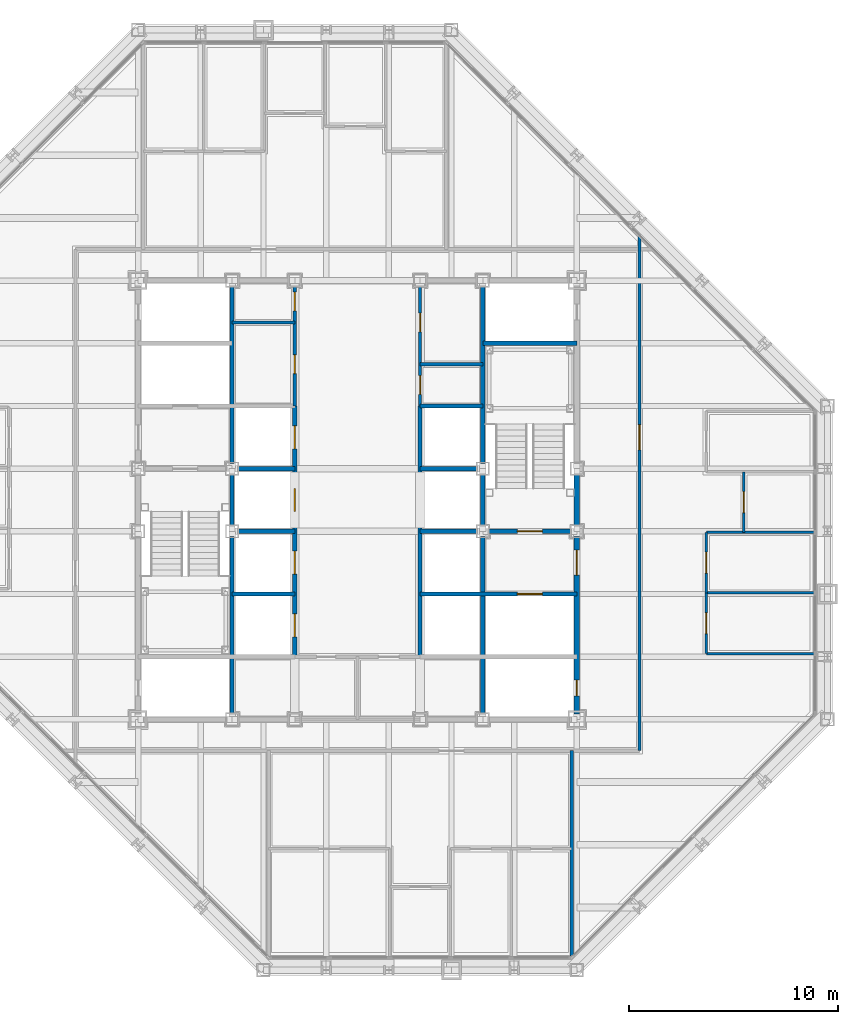
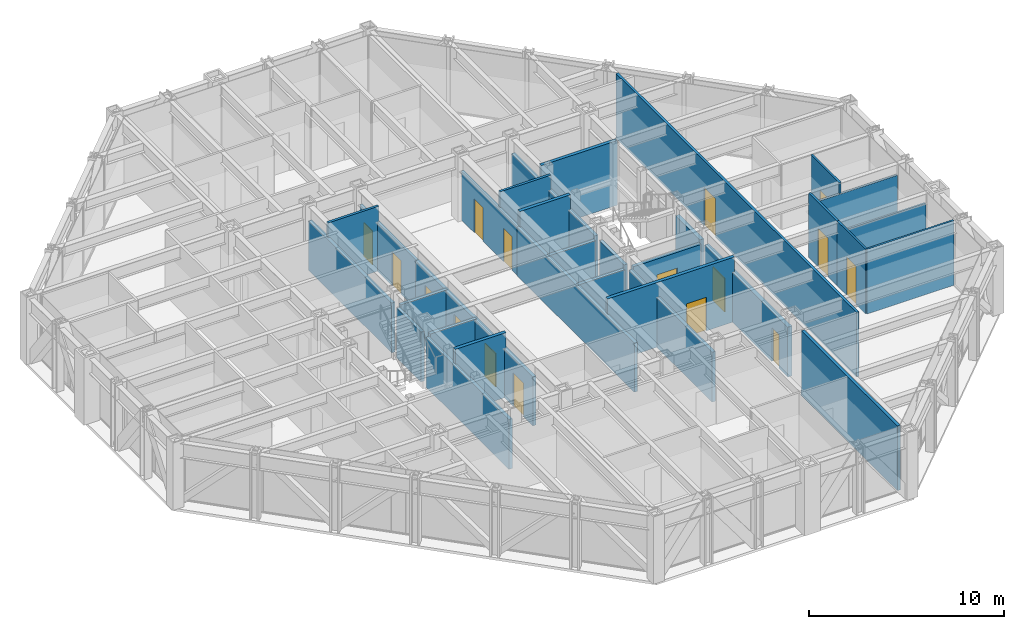
# One storey, part 12 of 16: 31 walls, 16 doors, 16 openings.
"""IFC4 building model written with IfcOpenShell, lengths in metres."""

import ifcopenshell
import ifcopenshell.guid

model = None  # the IFC model being written
_history = None  # IfcOwnerHistory: only IFC2X3 demands one
_inside = {}  # id of a spatial element -> (the spatial element, [elements in it])
_under = {}  # id of a project, library or spatial element -> (it, [spatial elements below it])
_declared = {}  # id of a project -> (the project, [libraries it declares])
_typed = {}  # id of a type object -> (the type object, [elements of that type])
_made_of = {}  # id of a material, layer set ... -> (it, [elements and type objects made of it])


def new_model(schema):
    """Start an empty IFC model of exactly this schema.

    Asked for "IFC4X3", IfcOpenShell would pick the latest addendum, in which some entities
    have other attributes; the version numbers below select the first issue.
    IFC2X3 requires an IfcOwnerHistory on every rooted entity: one is made here for all.
    """
    global model, _history
    if schema == "IFC4X3":
        model = ifcopenshell.file(schema_version=(4, 3, 0, 0))
    else:
        model = ifcopenshell.file(schema=schema)
    _inside.clear()
    _under.clear()
    _declared.clear()
    _typed.clear()
    _made_of.clear()
    _history = None
    if model.schema == "IFC2X3":
        org = make("IfcOrganization", Name="unknown")
        user = make(
            "IfcPersonAndOrganization",
            ThePerson=make("IfcPerson", FamilyName="unknown"),
            TheOrganization=org,
        )
        app = make(
            "IfcApplication",
            ApplicationDeveloper=org,
            Version="unknown",
            ApplicationFullName="unknown",
            ApplicationIdentifier="unknown",
        )
        _history = make(
            "IfcOwnerHistory",
            OwningUser=user,
            OwningApplication=app,
            ChangeAction="ADDED",
            CreationDate=0,
        )
    return model


def make(cls, **values):
    """One entity of the class cls with the attributes given. An attribute that is None is left unset."""
    return model.create_entity(
        cls, **{name: value for name, value in values.items() if value is not None}
    )


def rooted(cls, **values):
    """An entity with a GlobalId (a new one), such as an element, a storey or a relation."""
    return make(cls, GlobalId=ifcopenshell.guid.new(), OwnerHistory=_history, **values)


def si_unit(unit_type, name, prefix=None):
    """IfcSIUnit, for example si_unit("LENGTHUNIT", "METRE", prefix="MILLI")."""
    return make("IfcSIUnit", UnitType=unit_type, Prefix=prefix, Name=name)


def assignment(units):
    """IfcUnitAssignment: the units of a project."""
    return None if units is None else make("IfcUnitAssignment", Units=units)


def point(xyz):
    """IfcCartesianPoint."""
    return None if xyz is None else make("IfcCartesianPoint", Coordinates=xyz)


def direction(xyz):
    """IfcDirection."""
    return None if xyz is None else make("IfcDirection", DirectionRatios=xyz)


def frame(location, z_axis=None, x_axis=None):
    """IfcAxis2Placement3D, a coordinate frame: its origin and axes. An axis left out is left unset."""
    return make(
        "IfcAxis2Placement3D",
        Location=point(location),
        Axis=direction(z_axis),
        RefDirection=direction(x_axis),
    )


def frame_2d(location, x_axis=None):
    """IfcAxis2Placement2D, a coordinate frame in the plane: its origin and x axis."""
    return make(
        "IfcAxis2Placement2D", Location=point(location), RefDirection=direction(x_axis)
    )


def origin():
    """The frame at (0, 0, 0) with its axes left unset."""
    return frame((0.0, 0.0, 0.0))


def place(relative_to, where):
    """IfcLocalPlacement: puts the frame where relative to a parent placement (None: the world)."""
    return make(
        "IfcLocalPlacement", PlacementRelTo=relative_to, RelativePlacement=where
    )


def context(
    kind, dimensions, precision=None, world=None, true_north=None, identifier=None
):
    """IfcGeometricRepresentationContext, for example the 3D "Model" context."""
    return make(
        "IfcGeometricRepresentationContext",
        ContextIdentifier=identifier,
        ContextType=kind,
        CoordinateSpaceDimension=dimensions,
        Precision=precision,
        WorldCoordinateSystem=world,
        TrueNorth=true_north,
    )


def subcontext(parent, identifier, kind, view, scale=None):
    """IfcGeometricRepresentationSubContext, for example "Body" below "Model"."""
    return make(
        "IfcGeometricRepresentationSubContext",
        ContextIdentifier=identifier,
        ContextType=kind,
        ParentContext=parent,
        TargetScale=scale,
        TargetView=view,
    )


def project(units=None, contexts=None):
    """IfcProject with its units and contexts."""
    return rooted(
        "IfcProject",
        Name="project",
        RepresentationContexts=contexts,
        UnitsInContext=assignment(units),
    )


def spatial(cls, under=None, at=None, **own):
    """A site, building, storey or space (cls), placed at a placement, below another one or the project."""
    s = rooted(cls, ObjectPlacement=at, **own)
    if under is not None:
        _under.setdefault(under.id(), (under, []))[1].append(s)
    return s


def profile(cls, at=None, kind="AREA", **sizes):
    """A parametric profile (cls). Its sizes go by their IFC names, for example OverallWidth=200.0."""
    return make(cls, ProfileType=kind, Position=at, **sizes)


def rectangle(**sizes):
    """IfcRectangleProfileDef."""
    return profile("IfcRectangleProfileDef", **sizes)


def extrude(swept, where, along, depth):
    """IfcExtrudedAreaSolid: the profile swept, set in the frame where, extruded along a direction by depth."""
    return make(
        "IfcExtrudedAreaSolid",
        SweptArea=swept,
        Position=where,
        ExtrudedDirection=direction(along),
        Depth=depth,
    )


def shape(context_of_items, identifier, shape_type, items):
    """IfcShapeRepresentation: the items that make up one representation, for example the "Body"."""
    return make(
        "IfcShapeRepresentation",
        ContextOfItems=context_of_items,
        RepresentationIdentifier=identifier,
        RepresentationType=shape_type,
        Items=items,
    )


def material(Name=None, Category=None):
    """IfcMaterial."""
    return make("IfcMaterial", Name=Name, Category=Category)


def layer(
    of_material, thickness, ventilated=None, Name=None, Category=None, Priority=None
):
    """IfcMaterialLayer: one layer of a wall or slab, of a material (None: an air gap)."""
    return make(
        "IfcMaterialLayer",
        Material=of_material,
        LayerThickness=thickness,
        IsVentilated=ventilated,
        Name=Name,
        Category=Category,
        Priority=Priority,
    )


def layer_set(layers, Name=None):
    """IfcMaterialLayerSet."""
    return make("IfcMaterialLayerSet", MaterialLayers=layers, LayerSetName=Name)


def made_of(thing, what):
    """Note that an element or type object is made of a material, layer set ...; save() writes the relation."""
    if what is not None:
        _made_of.setdefault(what.id(), (what, []))[1].append(thing)
    return thing


def type_object(cls, material=None, **own):
    """A type object (cls), such as IfcWallType, which elements share."""
    return made_of(rooted(cls, **own), material)


def element(
    cls,
    number,
    at=None,
    inside=None,
    cuts=None,
    type_object=None,
    material=None,
    context=None,
    identifier="Body",
    shape_type=None,
    held_by="IfcProductDefinitionShape",
    body=None,
    shapes=None,
    **own,
):
    """One element of the class cls, such as IfcWall. Its Tag is "e" and its number.

    at: its placement. inside: the storey or other place that contains it. cuts: it is an
    opening in that element (IfcRelVoidsElement). A single representation is given by context,
    identifier, shape_type and body (its items); several are given by shapes. held_by: the class
    of the entity that holds the representations. save() writes the other relations.
    """
    e = rooted(cls, Tag="e%d" % number, ObjectPlacement=at, **own)
    if body is not None:
        shapes = [shape(context, identifier, shape_type, body)]
    if shapes is not None:
        e.Representation = make(held_by, Representations=shapes)
    if inside is not None:
        _inside.setdefault(inside.id(), (inside, []))[1].append(e)
    if cuts is not None:
        rooted(
            "IfcRelVoidsElement", RelatingBuildingElement=cuts, RelatedOpeningElement=e
        )
    if type_object is not None:
        _typed.setdefault(type_object.id(), (type_object, []))[1].append(e)
    return made_of(e, material)


def fill(opening, filler):
    """IfcRelFillsElement: the door or window that sits in an opening."""
    return rooted(
        "IfcRelFillsElement",
        RelatingOpeningElement=opening,
        RelatedBuildingElement=filler,
    )


def aggregate(whole, parts):
    """IfcRelAggregates: a whole, such as a stair, and the parts it consists of."""
    return rooted("IfcRelAggregates", RelatingObject=whole, RelatedObjects=parts)


def save(model, path):
    """Write the relations noted so far, then the file.

    IfcRelAggregates (storeys below a building ...), IfcRelContainedInSpatialStructure (elements
    in a storey), IfcRelDefinesByType, IfcRelAssociatesMaterial and IfcRelDeclares: one each for
    every whole, place, type object, material and project.
    """
    for whole, parts in _under.values():
        aggregate(whole, parts)
    for where, things in _inside.values():
        rooted(
            "IfcRelContainedInSpatialStructure",
            RelatedElements=things,
            RelatingStructure=where,
        )
    for kind, things in _typed.values():
        rooted("IfcRelDefinesByType", RelatedObjects=things, RelatingType=kind)
    for what, things in _made_of.values():
        rooted("IfcRelAssociatesMaterial", RelatedObjects=things, RelatingMaterial=what)
    for by, libraries in _declared.values():
        rooted("IfcRelDeclares", RelatingContext=by, RelatedDefinitions=libraries)
    model.write(path)


model = new_model("IFC4")

# Units and contexts
model_context = context("Model", 3, precision=1e-05, world=origin(), true_north=direction((0.0, 1.0)))
body_context = subcontext(model_context, "Body", "Model", "MODEL_VIEW")
ifc_project = project(units=[si_unit("LENGTHUNIT", "METRE"), si_unit("AREAUNIT", "SQUARE_METRE"), si_unit("VOLUMEUNIT", "CUBIC_METRE"), si_unit("PLANEANGLEUNIT", "RADIAN"), si_unit("MASSUNIT", "GRAM", prefix="KILO")], contexts=[model_context])

# Site, building, storey
site_placement = place(None, origin())
site = spatial("IfcSite", under=ifc_project, at=site_placement, CompositionType="ELEMENT")
building_placement = place(site_placement, origin())
building = spatial("IfcBuilding", under=site, at=building_placement, Name="Chuquiago Exchange Tower", CompositionType="ELEMENT")
storey_placement = place(building_placement, frame((0.0, 0.0, 205.5)))
storey = spatial("IfcBuildingStorey", under=building, at=storey_placement, Name="L45", CompositionType="ELEMENT", Elevation=205.5)

# Wall, openings, doors
ifc_material_1 = material(Name="Concrete masonry, fully grouted", Category="masonry")
ifc_layer_1 = layer(ifc_material_1, 0.25)
ifc_layer_set_1 = layer_set([ifc_layer_1], Name="W1 core wall 250")
wall_type_1 = type_object("IfcWallType", Name="W1 core wall 250", PredefinedType="SOLIDWALL", material=ifc_layer_set_1)
wall_1_placement = place(storey_placement, frame((33.0, 12.25, 0.0), z_axis=(0.0, 0.0, 1.0), x_axis=(0.0, 1.0, 0.0)))
wall_1 = element("IfcWall", 1, at=wall_1_placement, inside=storey, type_object=wall_type_1, Name="CW-L45-25-0", PredefinedType="SOLIDWALL", context=body_context, shape_type="SweptSolid", body=[
    extrude(rectangle(XDim=8.5, YDim=0.25, at=frame_2d((4.25, 0.0))), origin(), (0.0, 0.0, 1.0), 3.11279296875),
])
opening_1_placement = place(wall_1_placement, frame((6.64990234375, 0.0, 0.0)))
opening_1 = element("IfcOpeningElement", 2, at=opening_1_placement, cuts=wall_1, Name="Opening L45-004", PredefinedType="OPENING", context=body_context, shape_type="SweptSolid", body=[
    extrude(rectangle(XDim=1.199951171875, YDim=2.10009765625, at=frame_2d((0.60009765625, 1.050048828125))), frame((0.0, 0.135009765625, 0.0), z_axis=(0.0, -1.0, 0.0), x_axis=(1.0, 0.0, 0.0)), (0.0, 0.0, 1.0), 0.27001953125),
])
opening_2_placement = place(wall_1_placement, frame((0.875, 0.0, 0.0)))
opening_2 = element("IfcOpeningElement", 3, at=opening_2_placement, cuts=wall_1, Name="Opening L45-009", PredefinedType="OPENING", context=body_context, shape_type="SweptSolid", body=[
    extrude(rectangle(XDim=0.75, YDim=2.10009765625, at=frame_2d((0.375, 1.050048828125))), frame((0.0, 0.135009765625, 0.0), z_axis=(0.0, -1.0, 0.0), x_axis=(1.0, 0.0, 0.0)), (0.0, 0.0, 1.0), 0.27001953125),
])
ifc_material_2 = material(Name="Steel door, painted", Category="steel")
door_type_1 = type_object("IfcDoorType", Name="D5 firefighting lobby door 1200x2100", OperationType="SINGLE_SWING_LEFT", PredefinedType="DOOR", material=ifc_material_2)
door_1_placement = place(opening_1_placement, origin())
door_1 = element("IfcDoor", 4, at=door_1_placement, inside=storey, type_object=door_type_1, Name="Firefighting lobby 2 door", OperationType="SINGLE_SWING_RIGHT", OverallHeight=2.10009765625, OverallWidth=1.199951171875, PredefinedType="DOOR", context=body_context, shape_type="SweptSolid", body=[
    extrude(rectangle(XDim=1.199951171875, YDim=2.10009765625, at=frame_2d((0.60009765625, 1.050048828125))), frame((0.0, 0.02490234375, 0.0), z_axis=(0.0, -1.0, 0.0), x_axis=(1.0, 0.0, 0.0)), (0.0, 0.0, 1.0), 0.050048828125),
])
fill(opening_1, door_1)
ifc_material_3 = material(Name="Steel door, painted", Category="steel")
door_type_2 = type_object("IfcDoorType", Name="D6 riser access door 750x2100", OperationType="SINGLE_SWING_LEFT", PredefinedType="DOOR", material=ifc_material_3)
door_2_placement = place(opening_2_placement, frame((0.75, 0.0, 0.0), z_axis=(0.0, 0.0, 1.0), x_axis=(-1.0, 0.0, 0.0)))
door_2 = element("IfcDoor", 5, at=door_2_placement, inside=storey, type_object=door_type_2, Name="Riser RE1 door", OperationType="SINGLE_SWING_RIGHT", OverallHeight=2.10009765625, OverallWidth=0.75, PredefinedType="DOOR", context=body_context, shape_type="SweptSolid", body=[
    extrude(rectangle(XDim=0.75, YDim=2.10009765625, at=frame_2d((0.375, 1.050048828125))), frame((0.0, 0.02490234375, 0.0), z_axis=(0.0, -1.0, 0.0), x_axis=(1.0, 0.0, 0.0)), (0.0, 0.0, 1.0), 0.050048828125),
])
fill(opening_2, door_2)

# Wall
wall_2_placement = place(storey_placement, frame((33.0, 21.25, 0.0), z_axis=(0.0, 0.0, 1.0), x_axis=(0.0, 1.0, 0.0)))
element("IfcWall", 6, at=wall_2_placement, inside=storey, type_object=wall_type_1, Name="CW-L45-25-1", PredefinedType="SOLIDWALL", context=body_context, shape_type="SweptSolid", body=[
    extrude(rectangle(XDim=2.5, YDim=0.25, at=frame_2d((1.25, 0.0))), origin(), (0.0, 0.0, 1.0), 3.11279296875),
])

# Wall, opening, door
ifc_material_4 = material(Name="Gypsum board on steel studs, acoustic insulation", Category="steel")
ifc_layer_2 = layer(ifc_material_4, 0.14990234375)
ifc_layer_set_2 = layer_set([ifc_layer_2], Name="W11 corridor wall 150")
wall_type_2 = type_object("IfcWallType", Name="W11 corridor wall 150", PredefinedType="PARTITIONING", material=ifc_layer_set_2)
wall_3_placement = place(storey_placement, frame((36.0, 10.5, 0.0), z_axis=(0.0, 0.0, 1.0), x_axis=(0.0, 1.0, 0.0)))
wall_3 = element("IfcWall", 7, at=wall_3_placement, inside=storey, type_object=wall_type_2, Name="PW-L45-CE", PredefinedType="PARTITIONING", context=body_context, shape_type="SweptSolid", body=[
    extrude(rectangle(XDim=24.614501953125, YDim=0.14990234375, at=frame_2d((12.30712890625, 0.0))), origin(), (0.0, 0.0, 1.0), 4.0400390625),
])
opening_3_placement = place(wall_3_placement, frame((14.39990234375, 0.0, 0.0)))
opening_3 = element("IfcOpeningElement", 8, at=opening_3_placement, cuts=wall_3, Name="Opening L45-042", PredefinedType="OPENING", context=body_context, shape_type="SweptSolid", body=[
    extrude(rectangle(XDim=1.199951171875, YDim=2.39990234375, at=frame_2d((0.60009765625, 1.199951171875))), frame((0.0, 0.0849609375, 0.0), z_axis=(0.0, -1.0, 0.0), x_axis=(1.0, 0.0, 0.0)), (0.0, 0.0, 1.0), 0.169921875),
])
ifc_material_5 = material(Name="Timber door, laminate faced", Category="wood")
door_type_3 = type_object("IfcDoorType", Name="D13 suite entrance door 1200x2400", OperationType="SINGLE_SWING_LEFT", PredefinedType="DOOR", material=ifc_material_5)
door_3_placement = place(opening_3_placement, frame((1.199951171875, 0.0, 0.0), z_axis=(0.0, 0.0, 1.0), x_axis=(-1.0, 0.0, 0.0)))
door_3 = element("IfcDoor", 9, at=door_3_placement, inside=storey, type_object=door_type_3, Name="East suite entrance door", OperationType="SINGLE_SWING_LEFT", OverallHeight=2.39990234375, OverallWidth=1.199951171875, PredefinedType="DOOR", context=body_context, shape_type="SweptSolid", body=[
    extrude(rectangle(XDim=1.199951171875, YDim=2.39990234375, at=frame_2d((0.60009765625, 1.199951171875))), frame((0.0, 0.02490234375, 0.0), z_axis=(0.0, -1.0, 0.0), x_axis=(1.0, 0.0, 0.0)), (0.0, 0.0, 1.0), 0.050048828125),
])
fill(opening_3, door_3)

# Walls
ifc_material_6 = material(Name="Gypsum board on twin steel studs, acoustic insulation", Category="steel")
ifc_layer_3 = layer(ifc_material_6, 0.175048828125)
ifc_layer_set_3 = layer_set([ifc_layer_3], Name="W12 tenant demising wall 175")
wall_type_3 = type_object("IfcWallType", Name="W12 tenant demising wall 175", PredefinedType="PARTITIONING", material=ifc_layer_set_3)
wall_4_placement = place(storey_placement, frame((32.75146484375, 0.666015625, 0.0), z_axis=(0.0, 0.0, 1.0), x_axis=(0.0, 1.0, 0.0)))
element("IfcWall", 10, at=wall_4_placement, inside=storey, type_object=wall_type_3, Name="PW-L45-DS03275", PredefinedType="PARTITIONING", context=body_context, shape_type="SweptSolid", body=[
    extrude(rectangle(XDim=9.833984375, YDim=0.175048828125, at=frame_2d((4.9169921875, 0.0))), origin(), (0.0, 0.0, 1.0), 4.0400390625),
])
ifc_material_7 = material(Name="Concrete masonry, fully grouted", Category="masonry")
ifc_layer_4 = layer(ifc_material_7, 0.199951171875)
ifc_layer_set_4 = layer_set([ifc_layer_4], Name="W2 shaft wall 200")
wall_type_4 = type_object("IfcWallType", Name="W2 shaft wall 200", PredefinedType="SOLIDWALL", material=ifc_layer_set_4)
for number, where, z_axis, x_axis, name in (
    (11, (16.75, 24.0, 0.0), (0.0, 0.0, 1.0), (1.0, 0.0, 0.0), "CW-L45-05-1"),
    (12, (25.5, 24.0, 0.0), (0.0, 0.0, 1.0), (1.0, 0.0, 0.0), "CW-L45-06-0"),
):
    element("IfcWall", number, at=place(storey_placement, frame(where, z_axis=z_axis, x_axis=x_axis)), inside=storey, type_object=wall_type_4, Name=name, PredefinedType="SOLIDWALL", context=body_context, shape_type="SweptSolid", body=[
        extrude(rectangle(XDim=2.75, YDim=0.199951171875, at=frame_2d((1.375, 0.0))), origin(), (0.0, 0.0, 1.0), 3.090087890625),
    ])
wall_5_placement = place(storey_placement, frame((25.5, 27.0, 0.0), z_axis=(0.0, 0.0, 1.0), x_axis=(1.0, 0.0, 0.0)))
element("IfcWall", 13, at=wall_5_placement, inside=storey, type_object=wall_type_4, Name="CW-L45-08-0", PredefinedType="SOLIDWALL", context=body_context, shape_type="SweptSolid", body=[
    extrude(rectangle(XDim=3.0, YDim=0.199951171875, at=frame_2d((1.5, 0.0))), origin(), (0.0, 0.0, 1.0), 4.0400390625),
])
wall_6_placement = place(storey_placement, frame((28.5, 30.0, 0.0), z_axis=(0.0, 0.0, 1.0), x_axis=(1.0, 0.0, 0.0)))
element("IfcWall", 14, at=wall_6_placement, inside=storey, type_object=wall_type_4, Name="CW-L45-10-0", PredefinedType="SOLIDWALL", context=body_context, shape_type="SweptSolid", body=[
    extrude(rectangle(XDim=4.5, YDim=0.199951171875, at=frame_2d((2.25, 0.0))), origin(), (0.0, 0.0, 1.0), 4.0400390625),
])
wall_7_placement = place(storey_placement, frame((16.5, 12.25, 0.0), z_axis=(0.0, 0.0, 1.0), x_axis=(0.0, 1.0, 0.0)))
element("IfcWall", 15, at=wall_7_placement, inside=storey, type_object=wall_type_4, Name="CW-L45-13-0", PredefinedType="SOLIDWALL", context=body_context, shape_type="SweptSolid", body=[
    extrude(rectangle(XDim=8.5, YDim=0.199951171875, at=frame_2d((4.25, 0.0))), origin(), (0.0, 0.0, 1.0), 3.11279296875),
])
wall_8_placement = place(storey_placement, frame((16.5, 21.25, 0.0), z_axis=(0.0, 0.0, 1.0), x_axis=(0.0, 1.0, 0.0)))
element("IfcWall", 16, at=wall_8_placement, inside=storey, type_object=wall_type_4, Name="CW-L45-13-1", PredefinedType="SOLIDWALL", context=body_context, shape_type="SweptSolid", body=[
    extrude(rectangle(XDim=2.5, YDim=0.199951171875, at=frame_2d((1.25, 0.0))), origin(), (0.0, 0.0, 1.0), 3.11279296875),
])
wall_9_placement = place(storey_placement, frame((16.5, 24.25, 0.0), z_axis=(0.0, 0.0, 1.0), x_axis=(0.0, 1.0, 0.0)))
element("IfcWall", 17, at=wall_9_placement, inside=storey, type_object=wall_type_4, Name="CW-L45-13-2", PredefinedType="SOLIDWALL", context=body_context, shape_type="SweptSolid", body=[
    extrude(rectangle(XDim=8.5, YDim=0.199951171875, at=frame_2d((4.25, 0.0))), origin(), (0.0, 0.0, 1.0), 3.11279296875),
])
wall_10_placement = place(storey_placement, frame((16.5, 18.0, 0.0), z_axis=(0.0, 0.0, 1.0), x_axis=(1.0, 0.0, 0.0)))
element("IfcWall", 18, at=wall_10_placement, inside=storey, type_object=wall_type_4, Name="CW-L45-14-0", PredefinedType="SOLIDWALL", context=body_context, shape_type="SweptSolid", body=[
    extrude(rectangle(XDim=3.0, YDim=0.199951171875, at=frame_2d((1.5, 0.0))), origin(), (0.0, 0.0, 1.0), 4.0400390625),
])

# Wall, opening, door
wall_11_placement = place(storey_placement, frame((25.5, 18.0, 0.0), z_axis=(0.0, 0.0, 1.0), x_axis=(1.0, 0.0, 0.0)))
wall_11 = element("IfcWall", 19, at=wall_11_placement, inside=storey, type_object=wall_type_4, Name="CW-L45-15-0", PredefinedType="SOLIDWALL", context=body_context, shape_type="SweptSolid", body=[
    extrude(rectangle(XDim=7.5, YDim=0.199951171875, at=frame_2d((3.75, 0.0))), origin(), (0.0, 0.0, 1.0), 4.0400390625),
])
opening_4_placement = place(wall_11_placement, frame((4.64990234375, 0.0, 0.0)))
opening_4 = element("IfcOpeningElement", 20, at=opening_4_placement, cuts=wall_11, Name="Opening L45-006", PredefinedType="OPENING", context=body_context, shape_type="SweptSolid", body=[
    extrude(rectangle(XDim=1.199951171875, YDim=2.10009765625, at=frame_2d((0.60009765625, 1.050048828125))), frame((0.0, 0.10986328125, 0.0), z_axis=(0.0, -1.0, 0.0), x_axis=(1.0, 0.0, 0.0)), (0.0, 0.0, 1.0), 0.219970703125),
])
ifc_material_8 = material(Name="Stainless steel lift landing door", Category="steel")
door_type_4 = type_object("IfcDoorType", Name="LD2 firefighting lift landing door 1200x2100", OperationType="DOUBLE_DOOR_SLIDING", PredefinedType="DOOR", material=ifc_material_8)
door_4_placement = place(opening_4_placement, origin())
door_4 = element("IfcDoor", 21, at=door_4_placement, inside=storey, type_object=door_type_4, Name="Firefighting lift FL2 landing door", OperationType="DOUBLE_DOOR_SLIDING", OverallHeight=2.10009765625, OverallWidth=1.199951171875, PredefinedType="DOOR", context=body_context, shape_type="SweptSolid", body=[
    extrude(rectangle(XDim=1.199951171875, YDim=2.10009765625, at=frame_2d((0.60009765625, 1.050048828125))), frame((0.0, 0.02490234375, 0.0), z_axis=(0.0, -1.0, 0.0), x_axis=(1.0, 0.0, 0.0)), (0.0, 0.0, 1.0), 0.050048828125),
])
fill(opening_4, door_4)

# Walls
for number, where, z_axis, x_axis, name in (
    (22, (16.75, 21.0, 0.0), (0.0, 0.0, 1.0), (1.0, 0.0, 0.0), "CW-L45-16-0"),
    (23, (25.5, 21.0, 0.0), (0.0, 0.0, 1.0), (1.0, 0.0, 0.0), "CW-L45-17-0"),
):
    element("IfcWall", number, at=place(storey_placement, frame(where, z_axis=z_axis, x_axis=x_axis)), inside=storey, type_object=wall_type_4, Name=name, PredefinedType="SOLIDWALL", context=body_context, shape_type="SweptSolid", body=[
        extrude(rectangle(XDim=2.75, YDim=0.199951171875, at=frame_2d((1.375, 0.0))), origin(), (0.0, 0.0, 1.0), 3.090087890625),
    ])

# Wall, opening, door
wall_12_placement = place(storey_placement, frame((28.75, 21.0, 0.0), z_axis=(0.0, 0.0, 1.0), x_axis=(1.0, 0.0, 0.0)))
wall_12 = element("IfcWall", 24, at=wall_12_placement, inside=storey, type_object=wall_type_4, Name="CW-L45-17-1", PredefinedType="SOLIDWALL", context=body_context, shape_type="SweptSolid", body=[
    extrude(rectangle(XDim=4.0, YDim=0.199951171875, at=frame_2d((2.0, 0.0))), origin(), (0.0, 0.0, 1.0), 3.090087890625),
])
opening_5_placement = place(wall_12_placement, frame((1.39990234375, 0.0, 0.0)))
opening_5 = element("IfcOpeningElement", 25, at=opening_5_placement, cuts=wall_12, Name="Opening L45-003", PredefinedType="OPENING", context=body_context, shape_type="SweptSolid", body=[
    extrude(rectangle(XDim=1.199951171875, YDim=2.10009765625, at=frame_2d((0.60009765625, 1.050048828125))), frame((0.0, 0.10986328125, 0.0), z_axis=(0.0, -1.0, 0.0), x_axis=(1.0, 0.0, 0.0)), (0.0, 0.0, 1.0), 0.219970703125),
])
ifc_material_9 = material(Name="Steel door, painted", Category="steel")
door_type_5 = type_object("IfcDoorType", Name="D4 stair door 1200x2100", OperationType="SINGLE_SWING_LEFT", PredefinedType="DOOR", material=ifc_material_9)
door_5_placement = place(opening_5_placement, origin())
door_5 = element("IfcDoor", 26, at=door_5_placement, inside=storey, type_object=door_type_5, Name="Stair ST2 door", OperationType="SINGLE_SWING_LEFT", OverallHeight=2.10009765625, OverallWidth=1.199951171875, PredefinedType="DOOR", context=body_context, shape_type="SweptSolid", body=[
    extrude(rectangle(XDim=1.199951171875, YDim=2.10009765625, at=frame_2d((0.60009765625, 1.050048828125))), frame((0.0, 0.02490234375, 0.0), z_axis=(0.0, -1.0, 0.0), x_axis=(1.0, 0.0, 0.0)), (0.0, 0.0, 1.0), 0.050048828125),
])
fill(opening_5, door_5)

# Wall, openings, doors
wall_13_placement = place(storey_placement, frame((19.5, 15.0, 0.0), z_axis=(0.0, 0.0, 1.0), x_axis=(0.0, 1.0, 0.0)))
wall_13 = element("IfcWall", 27, at=wall_13_placement, inside=storey, type_object=wall_type_4, Name="CW-L45-19-0", PredefinedType="SOLIDWALL", context=body_context, shape_type="SweptSolid", body=[
    extrude(rectangle(XDim=12.0, YDim=0.199951171875, at=frame_2d((6.0, 0.0))), origin(), (0.0, 0.0, 1.0), 3.064697265625),
])
opening_6_placement = place(wall_13_placement, frame((0.949951171875, 0.0, 0.0)))
opening_6 = element("IfcOpeningElement", 28, at=opening_6_placement, cuts=wall_13, Name="Opening L45-017", PredefinedType="OPENING", context=body_context, shape_type="SweptSolid", body=[
    extrude(rectangle(XDim=1.10009765625, YDim=2.10009765625, at=frame_2d((0.550048828125, 1.050048828125))), frame((0.0, 0.10986328125, 0.0), z_axis=(0.0, -1.0, 0.0), x_axis=(1.0, 0.0, 0.0)), (0.0, 0.0, 1.0), 0.219970703125),
])
opening_7_placement = place(wall_13_placement, frame((3.949951171875, 0.0, 0.0)))
opening_7 = element("IfcOpeningElement", 29, at=opening_7_placement, cuts=wall_13, Name="Opening L45-018", PredefinedType="OPENING", context=body_context, shape_type="SweptSolid", body=[
    extrude(rectangle(XDim=1.10009765625, YDim=2.10009765625, at=frame_2d((0.550048828125, 1.050048828125))), frame((0.0, 0.10986328125, 0.0), z_axis=(0.0, -1.0, 0.0), x_axis=(1.0, 0.0, 0.0)), (0.0, 0.0, 1.0), 0.219970703125),
])
opening_8_placement = place(wall_13_placement, frame((6.949951171875, 0.0, 0.0)))
opening_8 = element("IfcOpeningElement", 30, at=opening_8_placement, cuts=wall_13, Name="Opening L45-019", PredefinedType="OPENING", context=body_context, shape_type="SweptSolid", body=[
    extrude(rectangle(XDim=1.10009765625, YDim=2.10009765625, at=frame_2d((0.550048828125, 1.050048828125))), frame((0.0, 0.10986328125, 0.0), z_axis=(0.0, -1.0, 0.0), x_axis=(1.0, 0.0, 0.0)), (0.0, 0.0, 1.0), 0.219970703125),
])
opening_9_placement = place(wall_13_placement, frame((9.949951171875, 0.0, 0.0)))
opening_9 = element("IfcOpeningElement", 31, at=opening_9_placement, cuts=wall_13, Name="Opening L45-020", PredefinedType="OPENING", context=body_context, shape_type="SweptSolid", body=[
    extrude(rectangle(XDim=1.10009765625, YDim=2.10009765625, at=frame_2d((0.550048828125, 1.050048828125))), frame((0.0, 0.10986328125, 0.0), z_axis=(0.0, -1.0, 0.0), x_axis=(1.0, 0.0, 0.0)), (0.0, 0.0, 1.0), 0.219970703125),
])
ifc_material_10 = material(Name="Stainless steel lift landing door", Category="steel")
door_type_6 = type_object("IfcDoorType", Name="LD1 lift landing door 1100x2100", OperationType="DOUBLE_DOOR_SLIDING", PredefinedType="DOOR", material=ifc_material_10)
door_6_placement = place(opening_6_placement, origin())
door_6 = element("IfcDoor", 32, at=door_6_placement, inside=storey, type_object=door_type_6, Name="Lift LC1 landing door", OperationType="DOUBLE_DOOR_SLIDING", OverallHeight=2.10009765625, OverallWidth=1.10009765625, PredefinedType="DOOR", context=body_context, shape_type="SweptSolid", body=[
    extrude(rectangle(XDim=1.10009765625, YDim=2.10009765625, at=frame_2d((0.550048828125, 1.050048828125))), frame((0.0, 0.02490234375, 0.0), z_axis=(0.0, -1.0, 0.0), x_axis=(1.0, 0.0, 0.0)), (0.0, 0.0, 1.0), 0.050048828125),
])
fill(opening_6, door_6)
door_7_placement = place(opening_7_placement, origin())
door_7 = element("IfcDoor", 33, at=door_7_placement, inside=storey, type_object=door_type_6, Name="Lift LC2 landing door", OperationType="DOUBLE_DOOR_SLIDING", OverallHeight=2.10009765625, OverallWidth=1.10009765625, PredefinedType="DOOR", context=body_context, shape_type="SweptSolid", body=[
    extrude(rectangle(XDim=1.10009765625, YDim=2.10009765625, at=frame_2d((0.550048828125, 1.050048828125))), frame((0.0, 0.02490234375, 0.0), z_axis=(0.0, -1.0, 0.0), x_axis=(1.0, 0.0, 0.0)), (0.0, 0.0, 1.0), 0.050048828125),
])
fill(opening_7, door_7)
door_8_placement = place(opening_8_placement, origin())
door_8 = element("IfcDoor", 34, at=door_8_placement, inside=storey, type_object=door_type_6, Name="Lift LC3 landing door", OperationType="DOUBLE_DOOR_SLIDING", OverallHeight=2.10009765625, OverallWidth=1.10009765625, PredefinedType="DOOR", context=body_context, shape_type="SweptSolid", body=[
    extrude(rectangle(XDim=1.10009765625, YDim=2.10009765625, at=frame_2d((0.550048828125, 1.050048828125))), frame((0.0, 0.02490234375, 0.0), z_axis=(0.0, -1.0, 0.0), x_axis=(1.0, 0.0, 0.0)), (0.0, 0.0, 1.0), 0.050048828125),
])
fill(opening_8, door_8)
door_9_placement = place(opening_9_placement, origin())
door_9 = element("IfcDoor", 35, at=door_9_placement, inside=storey, type_object=door_type_6, Name="Lift LC4 landing door", OperationType="DOUBLE_DOOR_SLIDING", OverallHeight=2.10009765625, OverallWidth=1.10009765625, PredefinedType="DOOR", context=body_context, shape_type="SweptSolid", body=[
    extrude(rectangle(XDim=1.10009765625, YDim=2.10009765625, at=frame_2d((0.550048828125, 1.050048828125))), frame((0.0, 0.02490234375, 0.0), z_axis=(0.0, -1.0, 0.0), x_axis=(1.0, 0.0, 0.0)), (0.0, 0.0, 1.0), 0.050048828125),
])
fill(opening_9, door_9)

# Walls
wall_14_placement = place(storey_placement, frame((25.5, 15.0, 0.0), z_axis=(0.0, 0.0, 1.0), x_axis=(0.0, 1.0, 0.0)))
element("IfcWall", 36, at=wall_14_placement, inside=storey, type_object=wall_type_4, Name="CW-L45-22-0", PredefinedType="SOLIDWALL", context=body_context, shape_type="SweptSolid", body=[
    extrude(rectangle(XDim=12.0, YDim=0.199951171875, at=frame_2d((6.0, 0.0))), origin(), (0.0, 0.0, 1.0), 3.064697265625),
])
wall_15_placement = place(storey_placement, frame((28.5, 12.25, 0.0), z_axis=(0.0, 0.0, 1.0), x_axis=(0.0, 1.0, 0.0)))
element("IfcWall", 37, at=wall_15_placement, inside=storey, type_object=wall_type_4, Name="CW-L45-24-0", PredefinedType="SOLIDWALL", context=body_context, shape_type="SweptSolid", body=[
    extrude(rectangle(XDim=8.5, YDim=0.199951171875, at=frame_2d((4.25, 0.0))), origin(), (0.0, 0.0, 1.0), 3.11279296875),
])
wall_16_placement = place(storey_placement, frame((28.5, 21.25, 0.0), z_axis=(0.0, 0.0, 1.0), x_axis=(0.0, 1.0, 0.0)))
element("IfcWall", 38, at=wall_16_placement, inside=storey, type_object=wall_type_4, Name="CW-L45-24-1", PredefinedType="SOLIDWALL", context=body_context, shape_type="SweptSolid", body=[
    extrude(rectangle(XDim=2.5, YDim=0.199951171875, at=frame_2d((1.25, 0.0))), origin(), (0.0, 0.0, 1.0), 3.11279296875),
])
wall_17_placement = place(storey_placement, frame((28.5, 24.25, 0.0), z_axis=(0.0, 0.0, 1.0), x_axis=(0.0, 1.0, 0.0)))
element("IfcWall", 39, at=wall_17_placement, inside=storey, type_object=wall_type_4, Name="CW-L45-24-2", PredefinedType="SOLIDWALL", context=body_context, shape_type="SweptSolid", body=[
    extrude(rectangle(XDim=8.5, YDim=0.199951171875, at=frame_2d((4.25, 0.0))), origin(), (0.0, 0.0, 1.0), 3.11279296875),
])

# Wall, openings, doors
ifc_material_11 = material(Name="Gypsum board on steel studs", Category="steel")
ifc_layer_5 = layer(ifc_material_11, 0.14990234375)
ifc_layer_set_5 = layer_set([ifc_layer_5], Name="W3 core partition 150")
wall_type_5 = type_object("IfcWallType", Name="W3 core partition 150", PredefinedType="PARTITIONING", material=ifc_layer_set_5)
wall_18_placement = place(storey_placement, frame((19.5, 27.0, 0.0), z_axis=(0.0, 0.0, 1.0), x_axis=(0.0, 1.0, 0.0)))
wall_18 = element("IfcWall", 40, at=wall_18_placement, inside=storey, type_object=wall_type_5, Name="CW-L45-20-0", PredefinedType="PARTITIONING", context=body_context, shape_type="SweptSolid", body=[
    extrude(rectangle(XDim=5.75, YDim=0.14990234375, at=frame_2d((2.875, 0.0))), origin(), (0.0, 0.0, 1.0), 3.064697265625),
])
opening_10_placement = place(wall_18_placement, frame((1.550048828125, 0.0, 0.0)))
opening_10 = element("IfcOpeningElement", 41, at=opening_10_placement, cuts=wall_18, Name="Opening L45-011", PredefinedType="OPENING", context=body_context, shape_type="SweptSolid", body=[
    extrude(rectangle(XDim=0.89990234375, YDim=2.10009765625, at=frame_2d((0.449951171875, 1.050048828125))), frame((0.0, 0.0849609375, 0.0), z_axis=(0.0, -1.0, 0.0), x_axis=(1.0, 0.0, 0.0)), (0.0, 0.0, 1.0), 0.169921875),
])
opening_11_placement = place(wall_18_placement, frame((4.550048828125, 0.0, 0.0)))
opening_11 = element("IfcOpeningElement", 42, at=opening_11_placement, cuts=wall_18, Name="Opening L45-012", PredefinedType="OPENING", context=body_context, shape_type="SweptSolid", body=[
    extrude(rectangle(XDim=0.89990234375, YDim=2.10009765625, at=frame_2d((0.449951171875, 1.050048828125))), frame((0.0, 0.0849609375, 0.0), z_axis=(0.0, -1.0, 0.0), x_axis=(1.0, 0.0, 0.0)), (0.0, 0.0, 1.0), 0.169921875),
])
ifc_material_12 = material(Name="Timber door, laminate faced", Category="wood")
door_type_7 = type_object("IfcDoorType", Name="D16 core room door 900x2100", OperationType="SINGLE_SWING_LEFT", PredefinedType="DOOR", material=ifc_material_12)
door_10_placement = place(opening_11_placement, origin())
door_10 = element("IfcDoor", 43, at=door_10_placement, inside=storey, type_object=door_type_7, Name="Staff shower room door", OperationType="SINGLE_SWING_RIGHT", OverallHeight=2.10009765625, OverallWidth=0.89990234375, PredefinedType="DOOR", context=body_context, shape_type="SweptSolid", body=[
    extrude(rectangle(XDim=0.89990234375, YDim=2.10009765625, at=frame_2d((0.449951171875, 1.050048828125))), frame((0.0, 0.02490234375, 0.0), z_axis=(0.0, -1.0, 0.0), x_axis=(1.0, 0.0, 0.0)), (0.0, 0.0, 1.0), 0.050048828125),
])
fill(opening_11, door_10)
ifc_material_13 = material(Name="Timber door, laminate faced", Category="wood")
door_type_8 = type_object("IfcDoorType", Name="D7 toilet door 900x2100", OperationType="SINGLE_SWING_LEFT", PredefinedType="DOOR", material=ifc_material_13)
door_11_placement = place(opening_10_placement, origin())
door_11 = element("IfcDoor", 44, at=door_11_placement, inside=storey, type_object=door_type_8, Name="Male WC door", OperationType="SINGLE_SWING_LEFT", OverallHeight=2.10009765625, OverallWidth=0.89990234375, PredefinedType="DOOR", context=body_context, shape_type="SweptSolid", body=[
    extrude(rectangle(XDim=0.89990234375, YDim=2.10009765625, at=frame_2d((0.449951171875, 1.050048828125))), frame((0.0, 0.02490234375, 0.0), z_axis=(0.0, -1.0, 0.0), x_axis=(1.0, 0.0, 0.0)), (0.0, 0.0, 1.0), 0.050048828125),
])
fill(opening_10, door_11)

wall_19_placement = place(storey_placement, frame((25.5, 27.0, 0.0), z_axis=(0.0, 0.0, 1.0), x_axis=(0.0, 1.0, 0.0)))
wall_19 = element("IfcWall", 45, at=wall_19_placement, inside=storey, type_object=wall_type_5, Name="CW-L45-23-0", PredefinedType="PARTITIONING", context=body_context, shape_type="SweptSolid", body=[
    extrude(rectangle(XDim=5.75, YDim=0.14990234375, at=frame_2d((2.875, 0.0))), origin(), (0.0, 0.0, 1.0), 3.064697265625),
])
opening_12_placement = place(wall_19_placement, frame((0.550048828125, 0.0, 0.0)))
opening_12 = element("IfcOpeningElement", 46, at=opening_12_placement, cuts=wall_19, Name="Opening L45-013", PredefinedType="OPENING", context=body_context, shape_type="SweptSolid", body=[
    extrude(rectangle(XDim=0.89990234375, YDim=2.10009765625, at=frame_2d((0.449951171875, 1.050048828125))), frame((0.0, 0.0849609375, 0.0), z_axis=(0.0, -1.0, 0.0), x_axis=(1.0, 0.0, 0.0)), (0.0, 0.0, 1.0), 0.169921875),
])
opening_13_placement = place(wall_19_placement, frame((3.550048828125, 0.0, 0.0)))
opening_13 = element("IfcOpeningElement", 47, at=opening_13_placement, cuts=wall_19, Name="Opening L45-014", PredefinedType="OPENING", context=body_context, shape_type="SweptSolid", body=[
    extrude(rectangle(XDim=0.89990234375, YDim=2.10009765625, at=frame_2d((0.449951171875, 1.050048828125))), frame((0.0, 0.0849609375, 0.0), z_axis=(0.0, -1.0, 0.0), x_axis=(1.0, 0.0, 0.0)), (0.0, 0.0, 1.0), 0.169921875),
])
door_12_placement = place(opening_12_placement, frame((0.89990234375, 0.0, 0.0), z_axis=(0.0, 0.0, 1.0), x_axis=(-1.0, 0.0, 0.0)))
door_12 = element("IfcDoor", 48, at=door_12_placement, inside=storey, type_object=door_type_7, Name="First aid room door", OperationType="SINGLE_SWING_RIGHT", OverallHeight=2.10009765625, OverallWidth=0.89990234375, PredefinedType="DOOR", context=body_context, shape_type="SweptSolid", body=[
    extrude(rectangle(XDim=0.89990234375, YDim=2.10009765625, at=frame_2d((0.449951171875, 1.050048828125))), frame((0.0, 0.02490234375, 0.0), z_axis=(0.0, -1.0, 0.0), x_axis=(1.0, 0.0, 0.0)), (0.0, 0.0, 1.0), 0.050048828125),
])
fill(opening_12, door_12)
door_13_placement = place(opening_13_placement, frame((0.89990234375, 0.0, 0.0), z_axis=(0.0, 0.0, 1.0), x_axis=(-1.0, 0.0, 0.0)))
door_13 = element("IfcDoor", 49, at=door_13_placement, inside=storey, type_object=door_type_8, Name="Female WC door", OperationType="SINGLE_SWING_LEFT", OverallHeight=2.10009765625, OverallWidth=0.89990234375, PredefinedType="DOOR", context=body_context, shape_type="SweptSolid", body=[
    extrude(rectangle(XDim=0.89990234375, YDim=2.10009765625, at=frame_2d((0.449951171875, 1.050048828125))), frame((0.0, 0.02490234375, 0.0), z_axis=(0.0, -1.0, 0.0), x_axis=(1.0, 0.0, 0.0)), (0.0, 0.0, 1.0), 0.050048828125),
])
fill(opening_13, door_13)

# Walls
for number, where, z_axis, x_axis, name in (
    (50, (16.5, 31.0, 0.0), (0.0, 0.0, 1.0), (1.0, 0.0, 0.0), "CW-L45-WCMS"),
    (51, (25.5, 29.0, 0.0), (0.0, 0.0, 1.0), (1.0, 0.0, 0.0), "CW-L45-WCFS"),
):
    element("IfcWall", number, at=place(storey_placement, frame(where, z_axis=z_axis, x_axis=x_axis)), inside=storey, type_object=wall_type_5, Name=name, PredefinedType="PARTITIONING", context=body_context, shape_type="SweptSolid", body=[
        extrude(rectangle(XDim=3.0, YDim=0.14990234375, at=frame_2d((1.5, 0.0))), origin(), (0.0, 0.0, 1.0), 4.0400390625),
    ])
ifc_material_14 = material(Name="Gypsum board on steel studs", Category="steel")
ifc_layer_6 = layer(ifc_material_14, 0.1201171875)
ifc_layer_set_6 = layer_set([ifc_layer_6], Name="W4 partition 120")
wall_type_6 = type_object("IfcWallType", Name="W4 partition 120", PredefinedType="PARTITIONING", material=ifc_layer_set_6)
wall_20_placement = place(storey_placement, frame((44.347412109375, 15.149169921875, 0.0), z_axis=(0.0, 0.0, 1.0), x_axis=(-1.0, 0.0, 0.0)))
element("IfcWall", 52, at=wall_20_placement, inside=storey, type_object=wall_type_6, Name="PW-L45-E01515", PredefinedType="PARTITIONING", context=body_context, shape_type="SweptSolid", body=[
    extrude(rectangle(XDim=5.1474609375, YDim=0.1201171875, at=frame_2d((2.57373046875, 0.0))), origin(), (0.0, 0.0, 1.0), 4.0400390625),
])
for number, where, z_axis, x_axis, name in (
    (53, (44.347412109375, 18.0498046875, 0.0), (0.0, 0.0, 1.0), (-1.0, 0.0, 0.0), "PW-L45-E01805"),
    (54, (44.347412109375, 20.9501953125, 0.0), (0.0, 0.0, 1.0), (-1.0, 0.0, 0.0), "PW-L45-E02095"),
):
    element("IfcWall", number, at=place(storey_placement, frame(where, z_axis=z_axis, x_axis=x_axis)), inside=storey, type_object=wall_type_6, Name=name, PredefinedType="PARTITIONING", context=body_context, shape_type="SweptSolid", body=[
        extrude(rectangle(XDim=5.1474609375, YDim=0.1201171875, at=frame_2d((2.57373046875, 0.0))), origin(), (0.0, 0.0, 1.0), 3.356689453125),
    ])

# Wall, opening, door
wall_21_placement = place(storey_placement, frame((39.199951171875, 15.149169921875, 0.0), z_axis=(0.0, 0.0, 1.0), x_axis=(0.0, 1.0, 0.0)))
wall_21 = element("IfcWall", 55, at=wall_21_placement, inside=storey, type_object=wall_type_6, Name="PW-L45-EF01515", PredefinedType="PARTITIONING", context=body_context, shape_type="SweptSolid", body=[
    extrude(rectangle(XDim=2.900634765625, YDim=0.1201171875, at=frame_2d((1.4501953125, 0.0))), origin(), (0.0, 0.0, 1.0), 4.0400390625),
])
opening_14_placement = place(wall_21_placement, frame((0.9501953125, 0.0, 0.0)))
opening_14 = element("IfcOpeningElement", 56, at=opening_14_placement, cuts=wall_21, Name="Opening L45-025", PredefinedType="OPENING", context=body_context, shape_type="SweptSolid", body=[
    extrude(rectangle(XDim=1.0, YDim=2.39990234375, at=frame_2d((0.5, 1.199951171875))), frame((0.0, 0.070068359375, 0.0), z_axis=(0.0, -1.0, 0.0), x_axis=(1.0, 0.0, 0.0)), (0.0, 0.0, 1.0), 0.14013671875),
])
ifc_material_15 = material(Name="Timber door, laminate faced", Category="wood")
door_type_9 = type_object("IfcDoorType", Name="D9 room door 1000x2400", OperationType="SINGLE_SWING_LEFT", PredefinedType="DOOR", material=ifc_material_15)
door_14_placement = place(opening_14_placement, frame((1.0, 0.0, 0.0), z_axis=(0.0, 0.0, 1.0), x_axis=(-1.0, 0.0, 0.0)))
door_14 = element("IfcDoor", 57, at=door_14_placement, inside=storey, type_object=door_type_9, Name="Office door", OperationType="SINGLE_SWING_RIGHT", OverallHeight=2.39990234375, OverallWidth=1.0, PredefinedType="DOOR", context=body_context, shape_type="SweptSolid", body=[
    extrude(rectangle(XDim=1.0, YDim=2.39990234375, at=frame_2d((0.5, 1.199951171875))), frame((0.0, 0.02490234375, 0.0), z_axis=(0.0, -1.0, 0.0), x_axis=(1.0, 0.0, 0.0)), (0.0, 0.0, 1.0), 0.050048828125),
])
fill(opening_14, door_14)

wall_22_placement = place(storey_placement, frame((39.199951171875, 18.0498046875, 0.0), z_axis=(0.0, 0.0, 1.0), x_axis=(0.0, 1.0, 0.0)))
wall_22 = element("IfcWall", 58, at=wall_22_placement, inside=storey, type_object=wall_type_6, Name="PW-L45-EF01805", PredefinedType="PARTITIONING", context=body_context, shape_type="SweptSolid", body=[
    extrude(rectangle(XDim=2.900390625, YDim=0.1201171875, at=frame_2d((1.4501953125, 0.0))), origin(), (0.0, 0.0, 1.0), 4.0400390625),
])
opening_15_placement = place(wall_22_placement, frame((0.9501953125, 0.0, 0.0)))
opening_15 = element("IfcOpeningElement", 59, at=opening_15_placement, cuts=wall_22, Name="Opening L45-026", PredefinedType="OPENING", context=body_context, shape_type="SweptSolid", body=[
    extrude(rectangle(XDim=1.0, YDim=2.39990234375, at=frame_2d((0.5, 1.199951171875))), frame((0.0, 0.070068359375, 0.0), z_axis=(0.0, -1.0, 0.0), x_axis=(1.0, 0.0, 0.0)), (0.0, 0.0, 1.0), 0.14013671875),
])
door_15_placement = place(opening_15_placement, frame((1.0, 0.0, 0.0), z_axis=(0.0, 0.0, 1.0), x_axis=(-1.0, 0.0, 0.0)))
door_15 = element("IfcDoor", 60, at=door_15_placement, inside=storey, type_object=door_type_9, Name="Office door", OperationType="SINGLE_SWING_LEFT", OverallHeight=2.39990234375, OverallWidth=1.0, PredefinedType="DOOR", context=body_context, shape_type="SweptSolid", body=[
    extrude(rectangle(XDim=1.0, YDim=2.39990234375, at=frame_2d((0.5, 1.199951171875))), frame((0.0, 0.02490234375, 0.0), z_axis=(0.0, -1.0, 0.0), x_axis=(1.0, 0.0, 0.0)), (0.0, 0.0, 1.0), 0.050048828125),
])
fill(opening_15, door_15)

wall_23_placement = place(storey_placement, frame((41.0, 20.9501953125, 0.0), z_axis=(0.0, 0.0, 1.0), x_axis=(0.0, 1.0, 0.0)))
wall_23 = element("IfcWall", 61, at=wall_23_placement, inside=storey, type_object=wall_type_6, Name="PW-L45-EF02095", PredefinedType="PARTITIONING", context=body_context, shape_type="SweptSolid", body=[
    extrude(rectangle(XDim=2.900634765625, YDim=0.1201171875, at=frame_2d((1.4501953125, 0.0))), origin(), (0.0, 0.0, 1.0), 4.0400390625),
])
opening_16_placement = place(wall_23_placement, frame((0.9501953125, 0.0, 0.0)))
opening_16 = element("IfcOpeningElement", 62, at=opening_16_placement, cuts=wall_23, Name="Opening L45-027", PredefinedType="OPENING", context=body_context, shape_type="SweptSolid", body=[
    extrude(rectangle(XDim=1.0, YDim=2.39990234375, at=frame_2d((0.5, 1.199951171875))), frame((0.0, 0.070068359375, 0.0), z_axis=(0.0, -1.0, 0.0), x_axis=(1.0, 0.0, 0.0)), (0.0, 0.0, 1.0), 0.14013671875),
])
ifc_material_16 = material(Name="Timber frame door, full height glazed panel", Category="wood")
door_type_10 = type_object("IfcDoorType", Name="D14 glazed meeting room door 1000x2400", OperationType="SINGLE_SWING_LEFT", PredefinedType="DOOR", material=ifc_material_16)
door_16_placement = place(opening_16_placement, frame((1.0, 0.0, 0.0), z_axis=(0.0, 0.0, 1.0), x_axis=(-1.0, 0.0, 0.0)))
door_16 = element("IfcDoor", 63, at=door_16_placement, inside=storey, type_object=door_type_10, Name="Focus room door", OperationType="SINGLE_SWING_RIGHT", OverallHeight=2.39990234375, OverallWidth=1.0, PredefinedType="DOOR", context=body_context, shape_type="SweptSolid", body=[
    extrude(rectangle(XDim=1.0, YDim=2.39990234375, at=frame_2d((0.5, 1.199951171875))), frame((0.0, 0.02490234375, 0.0), z_axis=(0.0, -1.0, 0.0), x_axis=(1.0, 0.0, 0.0)), (0.0, 0.0, 1.0), 0.050048828125),
])
fill(opening_16, door_16)

save(model, "model.ifc")
